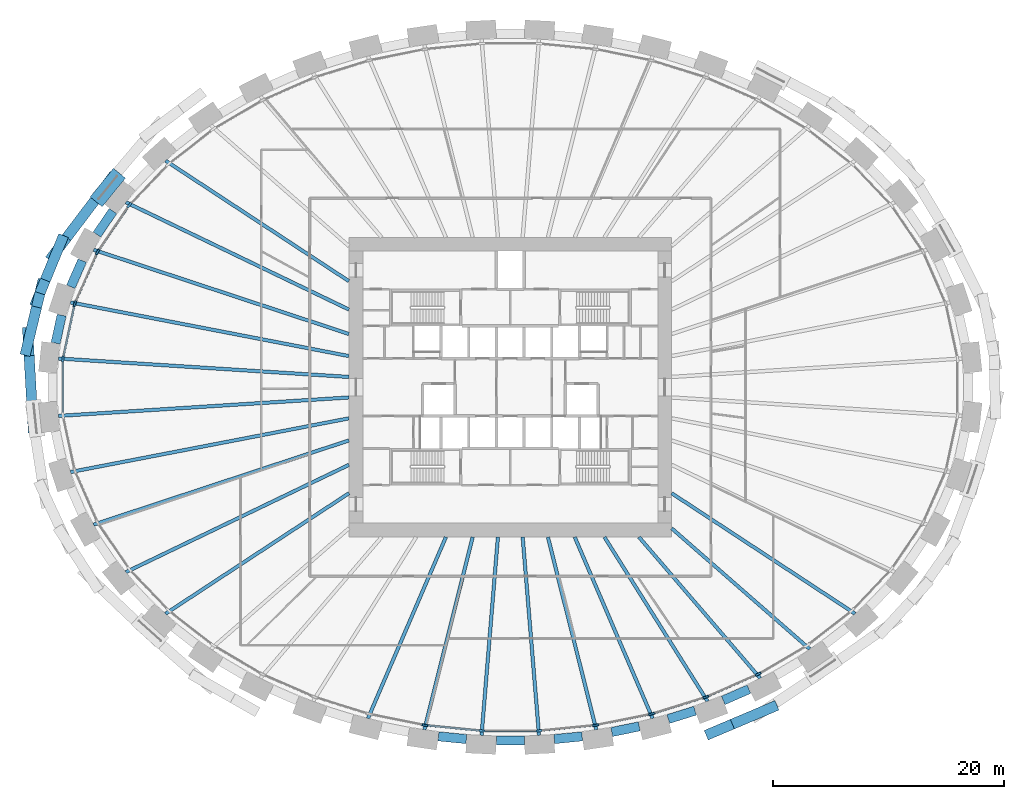
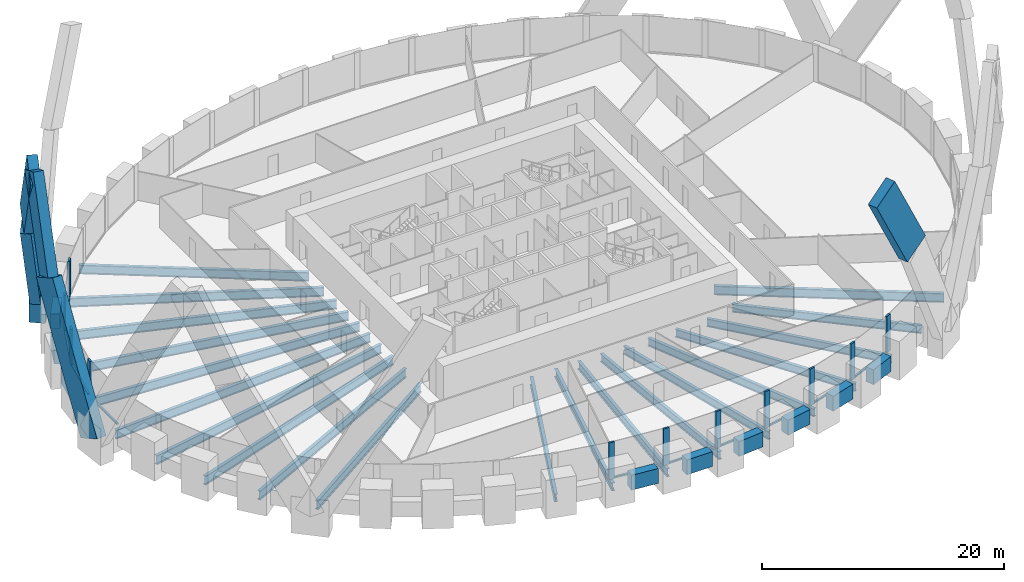
# One storey, part 2 of 12: 29 beams, 27 members, 1 element without a shape of its own.
"""IFC4 building model written with IfcOpenShell, lengths in metres."""

from ifc_helpers import new_model, si_unit, direction, frame, origin, origin_2d, place, context, subcontext, project, spatial, rectangle, i_section, extrude, source, transform, mapped, material, material_profile, profile_set, type_object, element, aggregate, save


model = new_model("IFC4")

# Units and contexts
model_context = context("Model", 3, precision=1e-05, world=origin(), true_north=direction((0.0, 1.0)))
body_context = subcontext(model_context, "Body", "Model", "MODEL_VIEW")
ifc_project = project(units=[si_unit("LENGTHUNIT", "METRE"), si_unit("AREAUNIT", "SQUARE_METRE"), si_unit("VOLUMEUNIT", "CUBIC_METRE"), si_unit("PLANEANGLEUNIT", "RADIAN"), si_unit("MASSUNIT", "GRAM", prefix="KILO")], contexts=[model_context])

# Site, building, storey
site_placement = place(None, origin())
site = spatial("IfcSite", under=ifc_project, at=site_placement, CompositionType="ELEMENT")
building_placement = place(site_placement, origin())
building = spatial("IfcBuilding", under=site, at=building_placement, Name="Embergate Tower", CompositionType="ELEMENT")
storey_placement = place(building_placement, frame((0.0, 0.0, 45.800048828125)))
storey = spatial("IfcBuildingStorey", under=building, at=storey_placement, Name="L07", CompositionType="ELEMENT", Elevation=45.800048828125)

# Beams
ifc_material_1 = material(Name="Concrete C70", Category="concrete")
ifc_material_profile_1 = material_profile(ifc_material_1, rectangle(XDim=0.800048828125, YDim=1.5, at=origin_2d()), Name="RC 800x1500")
ifc_profile_set_1 = profile_set([ifc_material_profile_1], Name="Concrete C70")
beam_type_1 = type_object("IfcBeamType", Name="Spandrel beam RC 800x1500 C70", PredefinedType="BEAM", material=ifc_profile_set_1)
shared_shape_1 = source(origin(), body_context, "Body", "SweptSolid", [
    extrude(rectangle(XDim=0.800048828125, YDim=1.5, at=origin_2d()), origin(), (0.0, 0.0, 1.0), 2.431396484375),
])
beam_1_placement = place(storey_placement, frame((8.801025390625, -29.906982421875, 0.0), z_axis=(0.980484010726, 0.196598842089, 0.0), x_axis=(-0.196598842089, 0.980484010726, 0.0)))
element("IfcBeam", 1, at=beam_1_placement, inside=storey, type_object=beam_type_1, Name="SPN-L07-34", PredefinedType="BEAM", context=body_context, shape_type="MappedRepresentation", body=[
    mapped(shared_shape_1, transform((0.0, 0.0, 0.0))),
])
shared_shape_2 = source(origin(), body_context, "Body", "SweptSolid", [
    extrude(rectangle(XDim=0.800048828125, YDim=1.5, at=origin_2d()), origin(), (0.0, 0.0, 1.0), 2.43408203125),
])
beam_2_placement = place(storey_placement, frame((13.7041015625, -28.785888671875, 0.0), z_axis=(0.954756195808, 0.297389654436, 0.0), x_axis=(-0.297389654436, 0.954756195808, 0.0)))
element("IfcBeam", 2, at=beam_2_placement, inside=storey, type_object=beam_type_1, Name="SPN-L07-35", PredefinedType="BEAM", context=body_context, shape_type="MappedRepresentation", body=[
    mapped(shared_shape_2, transform((0.0, 0.0, 0.0))),
])
shared_shape_3 = source(origin(), body_context, "Body", "SweptSolid", [
    extrude(rectangle(XDim=0.800048828125, YDim=1.5, at=origin_2d()), origin(), (0.0, 0.0, 1.0), 2.47412109375),
])
beam_3_placement = place(storey_placement, frame((-38.924072265625, 6.242919921875, 0.0), z_axis=(-0.210175960292, -0.977663574915, 0.0), x_axis=(0.977663574915, -0.210175960292, 0.0)))
element("IfcBeam", 3, at=beam_3_placement, inside=storey, type_object=beam_type_1, Name="SPN-L07-20", PredefinedType="BEAM", context=body_context, shape_type="MappedRepresentation", body=[
    mapped(shared_shape_3, transform((0.0, 0.0, 0.0))),
])
shared_shape_4 = source(origin(), body_context, "Body", "SweptSolid", [
    extrude(rectangle(XDim=0.800048828125, YDim=1.5, at=origin_2d()), origin(), (0.0, 0.0, 1.0), 2.470703125),
])
beam_4_placement = place(storey_placement, frame((-37.132080078125, 10.97998046875, 0.0), z_axis=(-0.401466670854, -0.915873633311, 0.0), x_axis=(0.915873633311, -0.401466670854, 0.0)))
element("IfcBeam", 4, at=beam_4_placement, inside=storey, type_object=beam_type_1, Name="SPN-L07-19", PredefinedType="BEAM", context=body_context, shape_type="MappedRepresentation", body=[
    mapped(shared_shape_4, transform((0.0, 0.0, 0.0))),
])
shared_shape_5 = source(origin(), body_context, "Body", "SweptSolid", [
    extrude(rectangle(XDim=0.800048828125, YDim=1.5, at=origin_2d()), origin(), (0.0, 0.0, 1.0), 2.46240234375),
])
beam_5_placement = place(storey_placement, frame((-34.470947265625, 15.281005859375, 0.0), z_axis=(-0.562478152622, -0.826812147844, 0.0), x_axis=(0.826812147844, -0.562478152622, 0.0)))
element("IfcBeam", 5, at=beam_5_placement, inside=storey, type_object=beam_type_1, Name="SPN-L07-18", PredefinedType="BEAM", context=body_context, shape_type="MappedRepresentation", body=[
    mapped(shared_shape_5, transform((0.0, 0.0, 0.0))),
])
shared_shape_6 = source(origin(), body_context, "Body", "SweptSolid", [
    extrude(rectangle(XDim=0.800048828125, YDim=1.5, at=origin_2d()), origin(), (0.0, 0.0, 1.0), 2.437255859375),
])
beam_6_placement = place(storey_placement, frame((18.470947265625, -27.172119140625, 0.0), z_axis=(0.916297523331, 0.400498250604, 0.0), x_axis=(-0.400498250604, 0.916297523331, 0.0)))
element("IfcBeam", 6, at=beam_6_placement, inside=storey, type_object=beam_type_1, Name="SPN-L07-36", PredefinedType="BEAM", context=body_context, shape_type="MappedRepresentation", body=[
    mapped(shared_shape_6, transform((0.0, 0.0, 0.0))),
])
shared_shape_7 = source(origin(), body_context, "Body", "SweptSolid", [
    extrude(rectangle(XDim=0.800048828125, YDim=1.5, at=origin_2d()), origin(), (0.0, 0.0, 1.0), 2.4296875),
])
for number, where, z_axis, x_axis, name in (
    (7, (-6.22998046875, -30.2900390625, 0.0), (0.995189223215, -0.097971475428, 0.0), (0.097971475428, 0.995189223215, 0.0), "SPN-L07-31"),
    (8, (3.81201171875, -30.528076171875, 0.0), (0.995189223215, 0.097971475428, 0.0), (-0.097971475428, 0.995189223215, 0.0), "SPN-L07-33"),
):
    element("IfcBeam", number, at=place(storey_placement, frame(where, z_axis=z_axis, x_axis=x_axis)), inside=storey, type_object=beam_type_1, Name=name, PredefinedType="BEAM", context=body_context, shape_type="MappedRepresentation", body=[
        mapped(shared_shape_7, transform((0.0, 0.0, 0.0))),
    ])
shared_shape_8 = source(origin(), body_context, "Body", "SweptSolid", [
    extrude(rectangle(XDim=0.800048828125, YDim=1.5, at=origin_2d()), origin(), (0.0, 0.0, 1.0), 2.43017578125),
])
beam_7_placement = place(storey_placement, frame((-1.215087890625, -30.655029296875, 0.0), z_axis=(1.0, 0.0, 0.0), x_axis=(0.0, 1.0, 0.0)))
element("IfcBeam", 9, at=beam_7_placement, inside=storey, type_object=beam_type_1, Name="SPN-L07-32", PredefinedType="BEAM", context=body_context, shape_type="MappedRepresentation", body=[
    mapped(shared_shape_8, transform((0.0, 0.0, 0.0))),
])
ifc_material_2 = material(Name="Steel Q355B", Category="steel")
ifc_material_profile_2 = material_profile(ifc_material_2, i_section(OverallWidth=0.300048828125, OverallDepth=0.89990234375, WebThickness=0.01611328125, FlangeThickness=0.028076171875, FilletRadius=0.028076171875, at=origin_2d()), Name="HN 900x300x16x28")
ifc_profile_set_2 = profile_set([ifc_material_profile_2], Name="Steel Q355 grade B")
beam_type_2 = type_object("IfcBeamType", Name="Radial girder HN 900x300x16x28", PredefinedType="BEAM", material=ifc_profile_set_2)
shared_shape_9 = source(origin(), body_context, "Body", "SweptSolid", [
    extrude(i_section(OverallWidth=0.300048828125, OverallDepth=0.89990234375, WebThickness=0.01611328125, FlangeThickness=0.028076171875, FilletRadius=0.028076171875, at=origin_2d()), origin(), (0.0, 0.0, 1.0), 25.250732421875),
])
for number, where, z_axis, x_axis, name in (
    (10, (-39.199951171875, 2.490966796875, -0.650146484375), (0.997987753724, -0.063406966633, 0.0), (0.063406966633, 0.997987753724, 0.0), "GIR-L07-21"),
    (11, (-39.199951171875, -2.490966796875, -0.650146484375), (0.997987753724, 0.063406966633, 0.0), (-0.063406966633, 0.997987753724, 0.0), "GIR-L07-22"),
):
    element("IfcBeam", number, at=place(storey_placement, frame(where, z_axis=z_axis, x_axis=x_axis)), inside=storey, type_object=beam_type_2, Name=name, PredefinedType="BEAM", context=body_context, shape_type="MappedRepresentation", body=[
        mapped(shared_shape_9, transform((0.0, 0.0, 0.0))),
    ])
shared_shape_10 = source(origin(), body_context, "Body", "SweptSolid", [
    extrude(i_section(OverallWidth=0.300048828125, OverallDepth=0.89990234375, WebThickness=0.01611328125, FlangeThickness=0.028076171875, FilletRadius=0.028076171875, at=origin_2d()), origin(), (0.0, 0.0, 1.0), 24.59619140625),
])
for number, where, z_axis, x_axis, name in (
    (12, (-38.15087890625, 7.35888671875, -0.650146484375), (0.981896685323, -0.18941726255, 0.0), (0.18941726255, 0.981896685323, 0.0), "GIR-L07-20"),
    (13, (-38.15087890625, -7.35888671875, -0.650146484375), (0.981896685323, 0.18941726255, 0.0), (-0.18941726255, 0.981896685323, 0.0), "GIR-L07-23"),
):
    element("IfcBeam", number, at=place(storey_placement, frame(where, z_axis=z_axis, x_axis=x_axis)), inside=storey, type_object=beam_type_2, Name=name, PredefinedType="BEAM", context=body_context, shape_type="MappedRepresentation", body=[
        mapped(shared_shape_10, transform((0.0, 0.0, 0.0))),
    ])
shared_shape_11 = source(origin(), body_context, "Body", "SweptSolid", [
    extrude(i_section(OverallWidth=0.300048828125, OverallDepth=0.89990234375, WebThickness=0.01611328125, FlangeThickness=0.028076171875, FilletRadius=0.028076171875, at=origin_2d()), origin(), (0.0, 0.0, 1.0), 23.324462890625),
])
for number, where, z_axis, x_axis, name in (
    (14, (-36.15087890625, 11.922119140625, -0.650146484375), (0.949687504939, -0.313199046873, 0.0), (0.313199046873, 0.949687504939, 0.0), "GIR-L07-19"),
    (15, (-36.15087890625, -11.922119140625, -0.650146484375), (0.949687504939, 0.313199046873, 0.0), (-0.313199046873, 0.949687504939, 0.0), "GIR-L07-24"),
):
    element("IfcBeam", number, at=place(storey_placement, frame(where, z_axis=z_axis, x_axis=x_axis)), inside=storey, type_object=beam_type_2, Name=name, PredefinedType="BEAM", context=body_context, shape_type="MappedRepresentation", body=[
        mapped(shared_shape_11, transform((0.0, 0.0, 0.0))),
    ])
shared_shape_12 = source(origin(), body_context, "Body", "SweptSolid", [
    extrude(i_section(OverallWidth=0.300048828125, OverallDepth=0.89990234375, WebThickness=0.01611328125, FlangeThickness=0.028076171875, FilletRadius=0.028076171875, at=origin_2d()), origin(), (0.0, 0.0, 1.0), 21.470458984375),
])
for number, where, z_axis, x_axis, name in (
    (16, (-33.347900390625, 16.04296875, -0.650146484375), (0.901143518966, -0.43352088557, 0.0), (0.43352088557, 0.901143518966, 0.0), "GIR-L07-18"),
    (17, (-33.347900390625, -16.04296875, -0.650146484375), (0.901143518966, 0.43352088557, 0.0), (-0.43352088557, 0.901143518966, 0.0), "GIR-L07-25"),
):
    element("IfcBeam", number, at=place(storey_placement, frame(where, z_axis=z_axis, x_axis=x_axis)), inside=storey, type_object=beam_type_2, Name=name, PredefinedType="BEAM", context=body_context, shape_type="MappedRepresentation", body=[
        mapped(shared_shape_12, transform((0.0, 0.0, 0.0))),
    ])
shared_shape_13 = source(origin(), body_context, "Body", "SweptSolid", [
    extrude(i_section(OverallWidth=0.300048828125, OverallDepth=0.89990234375, WebThickness=0.01611328125, FlangeThickness=0.028076171875, FilletRadius=0.028076171875, at=origin_2d()), origin(), (0.0, 0.0, 1.0), 19.03564453125),
])
for number, where, z_axis, x_axis, name in (
    (18, (-29.908935546875, 19.65087890625, -0.650146484375), (0.835743149678, -0.549120558499, 0.0), (0.549120558499, 0.835743149678, 0.0), "GIR-L07-17"),
    (19, (-29.908935546875, -19.65087890625, -0.650146484375), (0.835743149678, 0.549120558499, 0.0), (-0.549120558499, 0.835743149678, 0.0), "GIR-L07-26"),
    (20, (29.908935546875, -19.65087890625, -0.650146484375), (-0.835743149678, 0.549120558499, 0.0), (-0.549120558499, -0.835743149678, 0.0), "GIR-L07-39"),
):
    element("IfcBeam", number, at=place(storey_placement, frame(where, z_axis=z_axis, x_axis=x_axis)), inside=storey, type_object=beam_type_2, Name=name, PredefinedType="BEAM", context=body_context, shape_type="MappedRepresentation", body=[
        mapped(shared_shape_13, transform((0.0, 0.0, 0.0))),
    ])
ifc_material_profile_3 = material_profile(ifc_material_2, i_section(OverallWidth=0.300048828125, OverallDepth=0.800048828125, WebThickness=0.013916015625, FlangeThickness=0.02587890625, FilletRadius=0.028076171875, at=origin_2d()), Name="HN 800x300x14x26")
ifc_profile_set_3 = profile_set([ifc_material_profile_3], Name="Steel Q355 grade B")
beam_type_3 = type_object("IfcBeamType", Name="Radial girder HN 800x300x14x26", PredefinedType="BEAM", material=ifc_profile_set_3)
shared_shape_14 = source(origin(), body_context, "Body", "SweptSolid", [
    extrude(i_section(OverallWidth=0.300048828125, OverallDepth=0.800048828125, WebThickness=0.013916015625, FlangeThickness=0.02587890625, FilletRadius=0.028076171875, at=origin_2d()), origin(), (0.0, 0.0, 1.0), 15.91162109375),
])
beam_8_placement = place(storey_placement, frame((25.97802734375, -22.718017578125, -0.60009765625), z_axis=(-0.752783862885, 0.658267769057, 0.0), x_axis=(-0.658267769057, -0.752783862885, 0.0)))
element("IfcBeam", 21, at=beam_8_placement, inside=storey, type_object=beam_type_3, Name="GIR-L07-38", PredefinedType="BEAM", context=body_context, shape_type="MappedRepresentation", body=[
    mapped(shared_shape_14, transform((0.0, 0.0, 0.0))),
])
shared_shape_15 = source(origin(), body_context, "Body", "SweptSolid", [
    extrude(i_section(OverallWidth=0.300048828125, OverallDepth=0.800048828125, WebThickness=0.013916015625, FlangeThickness=0.02587890625, FilletRadius=0.028076171875, at=origin_2d()), origin(), (0.0, 0.0, 1.0), 16.1416015625),
])
beam_9_placement = place(storey_placement, frame((21.679931640625, -25.24609375, -0.60009765625), z_axis=(-0.651477424903, 0.758668020178, 0.0), x_axis=(-0.758668020178, -0.651477424903, 0.0)))
element("IfcBeam", 22, at=beam_9_placement, inside=storey, type_object=beam_type_3, Name="GIR-L07-37", PredefinedType="BEAM", context=body_context, shape_type="MappedRepresentation", body=[
    mapped(shared_shape_15, transform((0.0, 0.0, 0.0))),
])
shared_shape_16 = source(origin(), body_context, "Body", "SweptSolid", [
    extrude(i_section(OverallWidth=0.300048828125, OverallDepth=0.800048828125, WebThickness=0.013916015625, FlangeThickness=0.02587890625, FilletRadius=0.028076171875, at=origin_2d()), origin(), (0.0, 0.0, 1.0), 16.81884765625),
])
beam_10_placement = place(storey_placement, frame((17.110107421875, -27.242919921875, -0.60009765625), z_axis=(-0.531846576707, 0.846840728145, 0.0), x_axis=(-0.846840728145, -0.531846576707, 0.0)))
element("IfcBeam", 23, at=beam_10_placement, inside=storey, type_object=beam_type_3, Name="GIR-L07-36", PredefinedType="BEAM", context=body_context, shape_type="MappedRepresentation", body=[
    mapped(shared_shape_16, transform((0.0, 0.0, 0.0))),
])
shared_shape_17 = source(origin(), body_context, "Body", "SweptSolid", [
    extrude(i_section(OverallWidth=0.300048828125, OverallDepth=0.800048828125, WebThickness=0.013916015625, FlangeThickness=0.02587890625, FilletRadius=0.028076171875, at=origin_2d()), origin(), (0.0, 0.0, 1.0), 17.118408203125),
])
for number, where, z_axis, x_axis, name in (
    (24, (-12.347900390625, -28.72705078125, -0.60009765625), (0.39489847585, 0.918724764971, 0.0), (-0.918724764971, 0.39489847585, 0.0), "GIR-L07-30"),
    (25, (12.347900390625, -28.72705078125, -0.60009765625), (-0.39489847585, 0.918724764971, 0.0), (-0.918724764971, -0.39489847585, 0.0), "GIR-L07-35"),
):
    element("IfcBeam", number, at=place(storey_placement, frame(where, z_axis=z_axis, x_axis=x_axis)), inside=storey, type_object=beam_type_3, Name=name, PredefinedType="BEAM", context=body_context, shape_type="MappedRepresentation", body=[
        mapped(shared_shape_17, transform((0.0, 0.0, 0.0))),
    ])
shared_shape_18 = source(origin(), body_context, "Body", "SweptSolid", [
    extrude(i_section(OverallWidth=0.300048828125, OverallDepth=0.800048828125, WebThickness=0.013916015625, FlangeThickness=0.02587890625, FilletRadius=0.028076171875, at=origin_2d()), origin(), (0.0, 0.0, 1.0), 17.225341796875),
])
for number, where, z_axis, x_axis, name in (
    (26, (-7.45703125, -29.70703125, -0.60009765625), (0.243482617431, 0.969905260842, 0.0), (-0.969905260842, 0.243482617431, 0.0), "GIR-L07-31"),
    (27, (7.45703125, -29.70703125, -0.60009765625), (-0.243482617431, 0.969905260842, 0.0), (-0.969905260842, -0.243482617431, 0.0), "GIR-L07-34"),
):
    element("IfcBeam", number, at=place(storey_placement, frame(where, z_axis=z_axis, x_axis=x_axis)), inside=storey, type_object=beam_type_3, Name=name, PredefinedType="BEAM", context=body_context, shape_type="MappedRepresentation", body=[
        mapped(shared_shape_18, transform((0.0, 0.0, 0.0))),
    ])
shared_shape_19 = source(origin(), body_context, "Body", "SweptSolid", [
    extrude(i_section(OverallWidth=0.300048828125, OverallDepth=0.800048828125, WebThickness=0.013916015625, FlangeThickness=0.02587890625, FilletRadius=0.028076171875, at=origin_2d()), origin(), (0.0, 0.0, 1.0), 17.253662109375),
])
for number, where, z_axis, x_axis, name in (
    (28, (-2.493896484375, -30.195068359375, -0.60009765625), (0.08229715851, 0.99660783546, 0.0), (-0.99660783546, 0.08229715851, 0.0), "GIR-L07-32"),
    (29, (2.493896484375, -30.195068359375, -0.60009765625), (-0.08229715851, 0.99660783546, 0.0), (-0.99660783546, -0.08229715851, 0.0), "GIR-L07-33"),
):
    element("IfcBeam", number, at=place(storey_placement, frame(where, z_axis=z_axis, x_axis=x_axis)), inside=storey, type_object=beam_type_3, Name=name, PredefinedType="BEAM", context=body_context, shape_type="MappedRepresentation", body=[
        mapped(shared_shape_19, transform((0.0, 0.0, 0.0))),
    ])

# Members
ifc_material_profile_4 = material_profile(ifc_material_1, rectangle(XDim=1.35009765625, YDim=3.199951171875, at=origin_2d()), Name="RC 1350x3200")
ifc_profile_set_4 = profile_set([ifc_material_profile_4], Name="Concrete C70")
member_type_1 = type_object("IfcMemberType", Name="Lattice node block RC 1350x3200", PredefinedType="POST", material=ifc_profile_set_4)
shared_shape_20 = source(origin(), body_context, "Body", "SweptSolid", [
    extrude(rectangle(XDim=1.35009765625, YDim=3.199951171875, at=origin_2d()), origin(), (0.0, 0.0, 1.0), 3.699951171875),
])
member_1_placement = place(storey_placement, frame((-34.919921875, 17.320068359375, -1.85009765625), z_axis=(0.0, 0.0, 1.0), x_axis=(-0.775914301615, 0.630838328377, 0.0)))
element("IfcMember", 30, at=member_1_placement, inside=storey, type_object=member_type_1, Name="NOD-L07-18", PredefinedType="POST", context=body_context, shape_type="MappedRepresentation", body=[
    mapped(shared_shape_20, transform((0.0, 0.0, 0.0))),
])
ifc_material_profile_5 = material_profile(ifc_material_1, rectangle(XDim=0.89990234375, YDim=2.800048828125, at=origin_2d()), Name="RC 900x2800")
ifc_profile_set_5 = profile_set([ifc_material_profile_5], Name="Concrete C70")
member_type_2 = type_object("IfcMemberType", Name="Lattice diagonal terracotta-faced RC 900x2800", PredefinedType="BRACE", material=ifc_profile_set_5)
shared_shape_21 = source(origin(), body_context, "Body", "SweptSolid", [
    extrude(rectangle(XDim=0.89990234375, YDim=2.800048828125, at=origin_2d()), origin(), (0.0, 0.0, 1.0), 14.07373046875),
])
member_2_placement = place(storey_placement, frame((-35.093994140625, 17.4619140625, 0.0), z_axis=(-0.29337452995, -0.387447973417, 0.873965361483), x_axis=(0.797237381431, -0.603665932159, 0.0)))
element("IfcMember", 31, at=member_2_placement, inside=storey, type_object=member_type_2, Name="BRC-L07-18-20-S00", PredefinedType="BRACE", context=body_context, shape_type="MappedRepresentation", body=[
    mapped(shared_shape_21, transform((0.0, 0.0, 0.0))),
])
shared_shape_22 = source(origin(), body_context, "Body", "SweptSolid", [
    extrude(rectangle(XDim=0.89990234375, YDim=2.800048828125, at=origin_2d()), origin(), (0.0, 0.0, 1.0), 8.845458984375),
])
member_3_placement = place(storey_placement, frame((-39.222900390625, 12.009033203125, 12.300048828125), z_axis=(-0.17943285618, -0.436175577021, 0.881790630555), x_axis=(0.924804092592, -0.380443675627, 0.0)))
element("IfcMember", 32, at=member_3_placement, inside=storey, type_object=member_type_2, Name="BRC-L07-18-20-S01", PredefinedType="BRACE", context=body_context, shape_type="MappedRepresentation", body=[
    mapped(shared_shape_22, transform((0.0, 0.0, 0.0))),
])
shared_shape_23 = source(origin(), body_context, "Body", "SweptSolid", [
    extrude(rectangle(XDim=0.89990234375, YDim=2.800048828125, at=origin_2d()), origin(), (0.0, 0.0, 1.0), 14.008056640625),
])
member_4_placement = place(storey_placement, frame((-41.43701171875, -2.72998046875, 0.0), z_axis=(-0.026770260993, 0.477786415922, 0.878068046274), x_axis=(-0.998434018813, -0.055942024254, 0.0)))
element("IfcMember", 33, at=member_4_placement, inside=storey, type_object=member_type_2, Name="BRC-L07-22-20-S00", PredefinedType="BRACE", context=body_context, shape_type="MappedRepresentation", body=[
    mapped(shared_shape_23, transform((0.0, 0.0, 0.0))),
])
shared_shape_24 = source(origin(), body_context, "Body", "SweptSolid", [
    extrude(rectangle(XDim=0.89990234375, YDim=2.800048828125, at=origin_2d()), origin(), (0.0, 0.0, 1.0), 8.90966796875),
])
member_5_placement = place(storey_placement, frame((-41.81201171875, 3.962890625, 12.300048828125), z_axis=(0.112458311488, 0.47005601249, 0.87544301545), x_axis=(-0.972553795025, 0.23267813774, 0.0)))
element("IfcMember", 34, at=member_5_placement, inside=storey, type_object=member_type_2, Name="BRC-L07-22-20-S01", PredefinedType="BRACE", context=body_context, shape_type="MappedRepresentation", body=[
    mapped(shared_shape_24, transform((0.0, 0.0, 0.0))),
])
shared_shape_25 = source(origin(), body_context, "Body", "SweptSolid", [
    extrude(rectangle(XDim=0.89990234375, YDim=2.800048828125, at=origin_2d()), origin(), (0.0, 0.0, 1.0), 8.8564453125),
])
member_6_placement = place(storey_placement, frame((21.993896484375, -28.076904296875, 12.300048828125), z_axis=(-0.436291199108, -0.184500979063, 0.880686878695), x_axis=(0.389490011103, -0.921030689636, 0.0)))
element("IfcMember", 35, at=member_6_placement, inside=storey, type_object=member_type_2, Name="BRC-L07-38-36-S01", PredefinedType="BRACE", context=body_context, shape_type="MappedRepresentation", body=[
    mapped(shared_shape_25, transform((0.0, 0.0, 0.0))),
])

# Curtain wall, members
ifc_material_3 = material(Name="Aluminium and glass", Category="aluminium")
curtain_wall_type = type_object("IfcCurtainWallType", Name="Recessed office glazing", PredefinedType="NOTDEFINED", material=ifc_material_3)
curtain_wall_placement = place(storey_placement, origin())
curtain_wall = element("IfcCurtainWall", 36, at=curtain_wall_placement, inside=storey, type_object=curtain_wall_type, Name="Recessed office glazing ring", ObjectType="RECESSED OFFICE GLAZING", PredefinedType="USERDEFINED")
ifc_material_4 = material(Name="Aluminium, thermally broken", Category="aluminium")
ifc_material_profile_6 = material_profile(ifc_material_4, rectangle(XDim=0.179931640625, YDim=0.52001953125, at=origin_2d()), Name="AL 520x180")
ifc_profile_set_6 = profile_set([ifc_material_profile_6], Name="Aluminium, thermally broken")
member_type_3 = type_object("IfcMemberType", Name="Office mullion", PredefinedType="MULLION", material=ifc_profile_set_6)
shared_shape_26 = source(origin(), body_context, "Body", "SweptSolid", [
    extrude(rectangle(XDim=0.179931640625, YDim=0.52001953125, at=origin_2d()), origin(), (0.0, 0.0, 1.0), 3.699951171875),
])
member_7_placement = place(storey_placement, frame((-33.0458984375, 15.796875, 0.0), z_axis=(0.0, 0.0, 1.0), x_axis=(0.777875854755, -0.628417977615, 0.0)))
member_7 = element("IfcMember", 37, at=member_7_placement, type_object=member_type_3, Name="CW mullion 19", PredefinedType="MULLION", context=body_context, shape_type="MappedRepresentation", body=[
    mapped(shared_shape_26, transform((0.0, 0.0, 0.0))),
])
member_8_placement = place(storey_placement, frame((-35.81005859375, 11.732177734375, 0.0), z_axis=(0.0, 0.0, 1.0), x_axis=(0.875004430664, -0.484114910242, 0.0)))
member_8 = element("IfcMember", 38, at=member_8_placement, type_object=member_type_3, Name="CW mullion 20", PredefinedType="MULLION", context=body_context, shape_type="MappedRepresentation", body=[
    mapped(shared_shape_26, transform((0.0, 0.0, 0.0))),
])
member_9_placement = place(storey_placement, frame((-37.781005859375, 7.238525390625, 0.0), z_axis=(0.0, 0.0, 1.0), x_axis=(0.95149940886, -0.307650572791, 0.0)))
member_9 = element("IfcMember", 39, at=member_9_placement, type_object=member_type_3, Name="CW mullion 21", PredefinedType="MULLION", context=body_context, shape_type="MappedRepresentation", body=[
    mapped(shared_shape_26, transform((0.0, 0.0, 0.0))),
])
member_10_placement = place(storey_placement, frame((-38.811767578125, 2.448486328125, 0.0), z_axis=(0.0, 0.0, 1.0), x_axis=(0.994385139431, -0.105821521816, 0.0)))
member_10 = element("IfcMember", 40, at=member_10_placement, type_object=member_type_3, Name="CW mullion 22", PredefinedType="MULLION", context=body_context, shape_type="MappedRepresentation", body=[
    mapped(shared_shape_26, transform((0.0, 0.0, 0.0))),
])
member_11_placement = place(storey_placement, frame((-7.400390625, -29.3212890625, 0.0), z_axis=(0.0, 0.0, 1.0), x_axis=(0.147412382818, 0.989075118174, 0.0)))
member_11 = element("IfcMember", 41, at=member_11_placement, type_object=member_type_3, Name="CW mullion 32", PredefinedType="MULLION", context=body_context, shape_type="MappedRepresentation", body=[
    mapped(shared_shape_26, transform((0.0, 0.0, 0.0))),
])
member_12_placement = place(storey_placement, frame((-2.474853515625, -29.8056640625, 0.0), z_axis=(0.0, 0.0, 1.0), x_axis=(0.048971796621, 0.998800161762, 0.0)))
member_12 = element("IfcMember", 42, at=member_12_placement, type_object=member_type_3, Name="CW mullion 33", PredefinedType="MULLION", context=body_context, shape_type="MappedRepresentation", body=[
    mapped(shared_shape_26, transform((0.0, 0.0, 0.0))),
])
member_13_placement = place(storey_placement, frame((2.474853515625, -29.8056640625, 0.0), z_axis=(0.0, 0.0, 1.0), x_axis=(-0.048971796621, 0.998800161762, 0.0)))
member_13 = element("IfcMember", 43, at=member_13_placement, type_object=member_type_3, Name="CW mullion 34", PredefinedType="MULLION", context=body_context, shape_type="MappedRepresentation", body=[
    mapped(shared_shape_26, transform((0.0, 0.0, 0.0))),
])
member_14_placement = place(storey_placement, frame((7.400390625, -29.3212890625, 0.0), z_axis=(0.0, 0.0, 1.0), x_axis=(-0.147412382818, 0.989075118174, 0.0)))
member_14 = element("IfcMember", 44, at=member_14_placement, type_object=member_type_3, Name="CW mullion 35", PredefinedType="MULLION", context=body_context, shape_type="MappedRepresentation", body=[
    mapped(shared_shape_26, transform((0.0, 0.0, 0.0))),
])
member_15_placement = place(storey_placement, frame((12.251953125, -28.348388671875, 0.0), z_axis=(0.0, 0.0, 1.0), x_axis=(-0.24731188137, 0.968935928394, 0.0)))
member_15 = element("IfcMember", 45, at=member_15_placement, type_object=member_type_3, Name="CW mullion 36", PredefinedType="MULLION", context=body_context, shape_type="MappedRepresentation", body=[
    mapped(shared_shape_26, transform((0.0, 0.0, 0.0))),
])
member_16_placement = place(storey_placement, frame((16.97412109375, -26.877685546875, 0.0), z_axis=(0.0, 0.0, 1.0), x_axis=(-0.349502682851, 0.936935363128, 0.0)))
member_16 = element("IfcMember", 46, at=member_16_placement, type_object=member_type_3, Name="CW mullion 37", PredefinedType="MULLION", context=body_context, shape_type="MappedRepresentation", body=[
    mapped(shared_shape_26, transform((0.0, 0.0, 0.0))),
])
member_17_placement = place(storey_placement, frame((21.502685546875, -24.897705078125, 0.0), z_axis=(0.0, 0.0, 1.0), x_axis=(-0.454511380526, 0.890740930334, 0.0)))
member_17 = element("IfcMember", 47, at=member_17_placement, type_object=member_type_3, Name="CW mullion 38", PredefinedType="MULLION", context=body_context, shape_type="MappedRepresentation", body=[
    mapped(shared_shape_26, transform((0.0, 0.0, 0.0))),
])
ifc_material_profile_7 = material_profile(ifc_material_4, rectangle(XDim=0.179931640625, YDim=0.14990234375, at=origin_2d()), Name="AL 150x180")
ifc_profile_set_7 = profile_set([ifc_material_profile_7], Name="Aluminium, thermally broken")
member_type_4 = type_object("IfcMemberType", Name="Office sill transom", PredefinedType="USERDEFINED", material=ifc_profile_set_7)
shared_shape_27 = source(origin(), body_context, "Body", "SweptSolid", [
    extrude(rectangle(XDim=0.179931640625, YDim=0.14990234375, at=origin_2d()), origin(), (0.0, 0.0, 1.0), 4.379638671875),
])
member_18_placement = place(storey_placement, frame((-37.835693359375, 6.984375, 0.074951171875), z_axis=(-0.210374128921, -0.977620952047, 0.0), x_axis=(0.977620952047, -0.210374128921, 0.0)))
member_18 = element("IfcMember", 48, at=member_18_placement, type_object=member_type_4, Name="CW transom 21.1", ObjectType="TRANSOM", PredefinedType="USERDEFINED", context=body_context, shape_type="MappedRepresentation", body=[
    mapped(shared_shape_27, transform((0.0, 0.0, 0.0))),
])
shared_shape_28 = source(origin(), body_context, "Body", "SweptSolid", [
    extrude(rectangle(XDim=0.179931640625, YDim=0.14990234375, at=origin_2d()), origin(), (0.0, 0.0, 1.0), 4.38671875),
])
member_19_placement = place(storey_placement, frame((-35.91455078125, 11.493896484375, 0.074951171875), z_axis=(-0.401656581877, -0.915790363694, 0.0), x_axis=(0.915790363694, -0.401656581877, 0.0)))
member_19 = element("IfcMember", 49, at=member_19_placement, type_object=member_type_4, Name="CW transom 20.1", ObjectType="TRANSOM", PredefinedType="USERDEFINED", context=body_context, shape_type="MappedRepresentation", body=[
    mapped(shared_shape_28, transform((0.0, 0.0, 0.0))),
])
shared_shape_29 = source(origin(), body_context, "Body", "SweptSolid", [
    extrude(rectangle(XDim=0.179931640625, YDim=0.14990234375, at=origin_2d()), origin(), (0.0, 0.0, 1.0), 4.395751953125),
])
member_20_placement = place(storey_placement, frame((-33.19189453125, 15.581787109375, 0.074951171875), z_axis=(-0.562354076768, -0.826896542708, 0.0), x_axis=(0.826896542708, -0.562354076768, 0.0)))
member_20 = element("IfcMember", 50, at=member_20_placement, type_object=member_type_4, Name="CW transom 19.1", ObjectType="TRANSOM", PredefinedType="USERDEFINED", context=body_context, shape_type="MappedRepresentation", body=[
    mapped(shared_shape_29, transform((0.0, 0.0, 0.0))),
])
shared_shape_30 = source(origin(), body_context, "Body", "SweptSolid", [
    extrude(rectangle(XDim=0.179931640625, YDim=0.14990234375, at=origin_2d()), origin(), (0.0, 0.0, 1.0), 4.422607421875),
])
member_21_placement = place(storey_placement, frame((17.21240234375, -26.773681640625, 0.074951171875), z_axis=(0.916221938908, 0.400671135301, 0.0), x_axis=(-0.400671135301, 0.916221938908, 0.0)))
member_21 = element("IfcMember", 51, at=member_21_placement, type_object=member_type_4, Name="CW transom 37.1", ObjectType="TRANSOM", PredefinedType="USERDEFINED", context=body_context, shape_type="MappedRepresentation", body=[
    mapped(shared_shape_30, transform((0.0, 0.0, 0.0))),
])
shared_shape_31 = source(origin(), body_context, "Body", "SweptSolid", [
    extrude(rectangle(XDim=0.179931640625, YDim=0.14990234375, at=origin_2d()), origin(), (0.0, 0.0, 1.0), 4.42578125),
])
member_22_placement = place(storey_placement, frame((12.500244140625, -28.27099609375, 0.074951171875), z_axis=(0.954773981252, 0.297332549049, 0.0), x_axis=(-0.297332549049, 0.954773981252, 0.0)))
member_22 = element("IfcMember", 52, at=member_22_placement, type_object=member_type_4, Name="CW transom 36.1", ObjectType="TRANSOM", PredefinedType="USERDEFINED", context=body_context, shape_type="MappedRepresentation", body=[
    mapped(shared_shape_31, transform((0.0, 0.0, 0.0))),
])
shared_shape_32 = source(origin(), body_context, "Body", "SweptSolid", [
    extrude(rectangle(XDim=0.179931640625, YDim=0.14990234375, at=origin_2d()), origin(), (0.0, 0.0, 1.0), 4.427978515625),
])
member_23_placement = place(storey_placement, frame((7.655517578125, -29.270263671875, 0.074951171875), z_axis=(0.980470250175, 0.196667456693, 0.0), x_axis=(-0.196667456693, 0.980470250175, 0.0)))
member_23 = element("IfcMember", 53, at=member_23_placement, type_object=member_type_4, Name="CW transom 35.1", ObjectType="TRANSOM", PredefinedType="USERDEFINED", context=body_context, shape_type="MappedRepresentation", body=[
    mapped(shared_shape_32, transform((0.0, 0.0, 0.0))),
])
shared_shape_33 = source(origin(), body_context, "Body", "SweptSolid", [
    extrude(rectangle(XDim=0.179931640625, YDim=0.14990234375, at=origin_2d()), origin(), (0.0, 0.0, 1.0), 4.42919921875),
])
member_24_placement = place(storey_placement, frame((-7.1416015625, -29.3466796875, 0.074951171875), z_axis=(0.995196882691, -0.097893639638, 0.0), x_axis=(0.097893639638, 0.995196882691, 0.0)))
member_24 = element("IfcMember", 54, at=member_24_placement, type_object=member_type_4, Name="CW transom 32.1", ObjectType="TRANSOM", PredefinedType="USERDEFINED", context=body_context, shape_type="MappedRepresentation", body=[
    mapped(shared_shape_33, transform((0.0, 0.0, 0.0))),
])
member_25_placement = place(storey_placement, frame((2.733642578125, -29.7802734375, 0.074951171875), z_axis=(0.995196882691, 0.097893639638, 0.0), x_axis=(-0.097893639638, 0.995196882691, 0.0)))
member_25 = element("IfcMember", 55, at=member_25_placement, type_object=member_type_4, Name="CW transom 34.1", ObjectType="TRANSOM", PredefinedType="USERDEFINED", context=body_context, shape_type="MappedRepresentation", body=[
    mapped(shared_shape_33, transform((0.0, 0.0, 0.0))),
])
shared_shape_34 = source(origin(), body_context, "Body", "SweptSolid", [
    extrude(rectangle(XDim=0.179931640625, YDim=0.14990234375, at=origin_2d()), origin(), (0.0, 0.0, 1.0), 4.4296875),
])
member_26_placement = place(storey_placement, frame((-2.21484375, -29.8056640625, 0.074951171875), z_axis=(1.0, 0.0, 0.0), x_axis=(0.0, 1.0, 0.0)))
member_26 = element("IfcMember", 56, at=member_26_placement, type_object=member_type_4, Name="CW transom 33.1", ObjectType="TRANSOM", PredefinedType="USERDEFINED", context=body_context, shape_type="MappedRepresentation", body=[
    mapped(shared_shape_34, transform((0.0, 0.0, 0.0))),
])
shared_shape_35 = source(origin(), body_context, "Body", "SweptSolid", [
    extrude(rectangle(XDim=0.179931640625, YDim=0.14990234375, at=origin_2d()), origin(), (0.0, 0.0, 1.0), 4.376953125),
])
member_27_placement = place(storey_placement, frame((-38.811767578125, 2.1884765625, 0.074951171875), z_axis=(0.0, -1.0, 0.0), x_axis=(1.0, 0.0, 0.0)))
member_27 = element("IfcMember", 57, at=member_27_placement, type_object=member_type_4, Name="CW transom 22.1", ObjectType="TRANSOM", PredefinedType="USERDEFINED", context=body_context, shape_type="MappedRepresentation", body=[
    mapped(shared_shape_35, transform((0.0, 0.0, 0.0))),
])
aggregate(curtain_wall, [member_7, member_8, member_9, member_10, member_11, member_12, member_13, member_14, member_15, member_16, member_17, member_20, member_19, member_18, member_27, member_24, member_26, member_25, member_23, member_22, member_21])

save(model, "model.ifc")
